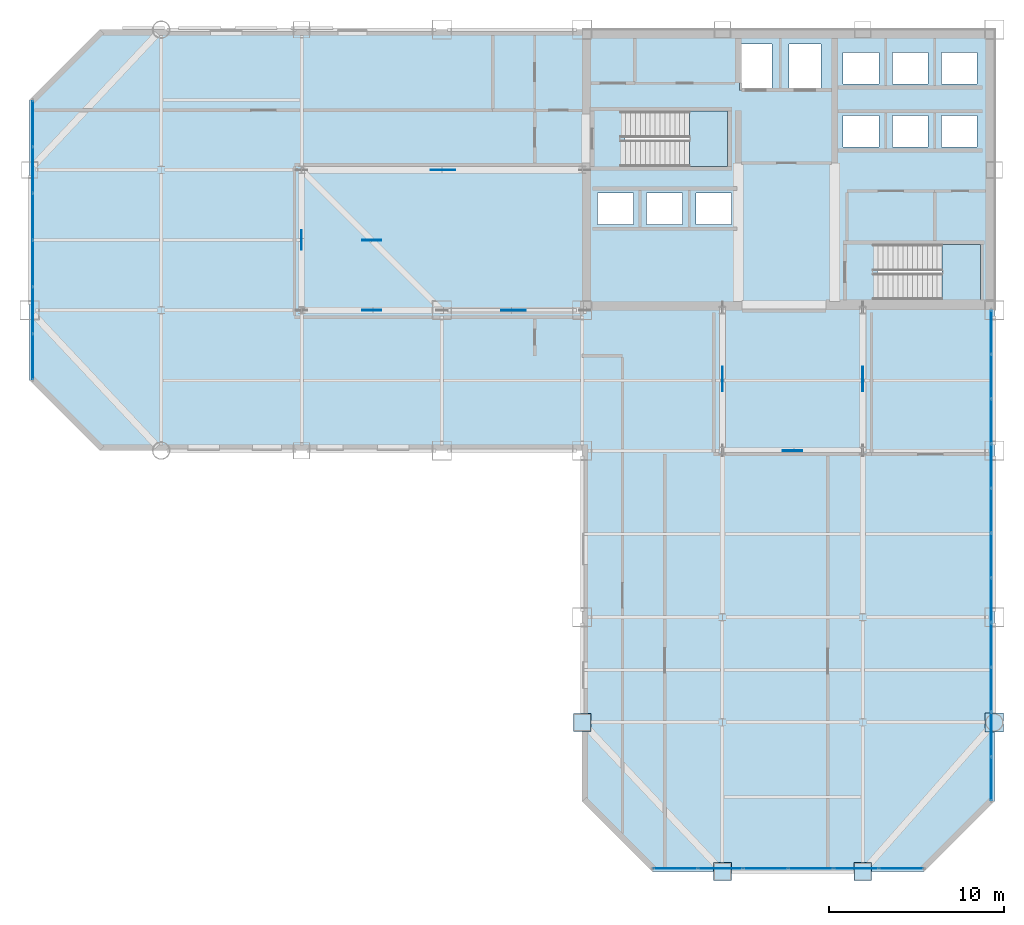
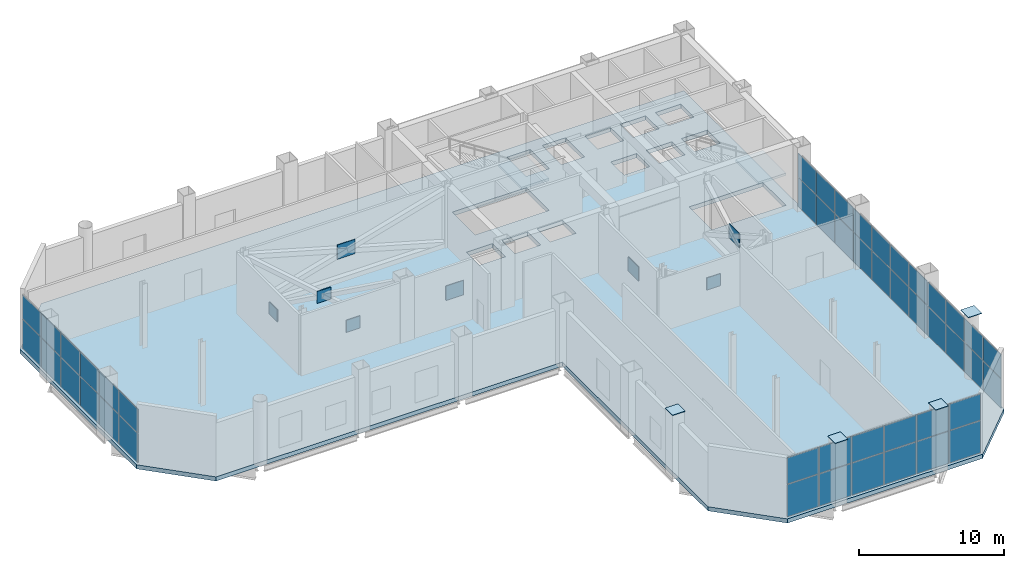
# One storey, part 19 of 24: 58 plates, 3 slabs, 5 elements without a shape of their own.
"""IFC4 building model written with IfcOpenShell, lengths in metres."""

from ifc_helpers import new_model, si_unit, direction, frame, origin, origin_2d, place, context, subcontext, project, spatial, polyline, rectangle, outline, extrude, material, layer, layer_set, type_object, element, aggregate, save


model = new_model("IFC4")

# Units and contexts
model_context = context("Model", 3, precision=1e-05, world=origin(), true_north=direction((0.0, 1.0)))
body_context = subcontext(model_context, "Body", "Model", "MODEL_VIEW")
ifc_project = project(units=[si_unit("LENGTHUNIT", "METRE"), si_unit("AREAUNIT", "SQUARE_METRE"), si_unit("VOLUMEUNIT", "CUBIC_METRE"), si_unit("PLANEANGLEUNIT", "RADIAN"), si_unit("MASSUNIT", "GRAM", prefix="KILO")], contexts=[model_context])

# Site, building, storey
site_placement = place(None, origin())
site = spatial("IfcSite", under=ifc_project, at=site_placement, CompositionType="ELEMENT")
building_placement = place(site_placement, origin())
building = spatial("IfcBuilding", under=site, at=building_placement, Name="Qianrong Seaharbour Tower", CompositionType="ELEMENT")
storey_placement = place(building_placement, frame((0.0, 0.0, 195.0)))
storey = spatial("IfcBuildingStorey", under=building, at=storey_placement, Name="L47", CompositionType="ELEMENT", Elevation=195.0)

# Curtain wall, plates
ifc_material_1 = material(Name="Anodised aluminium 6063-T6 and laminated low-e glass", Category="aluminium")
ifc_layer_1 = layer(ifc_material_1, 0.18505859375)
ifc_layer_set_1 = layer_set([ifc_layer_1], Name="Anodised aluminium 6063-T6 and laminated low-e glass")
curtain_wall_type = type_object("IfcCurtainWallType", Name="CW-SYS-4", PredefinedType="NOTDEFINED", material=ifc_layer_set_1)
curtain_wall_1_placement = place(storey_placement, origin())
curtain_wall_1 = element("IfcCurtainWall", 1, at=curtain_wall_1_placement, inside=storey, type_object=curtain_wall_type, Name="L47 Refuge Acoustic Louvre Curtain Wall WEST_TIP", PredefinedType="NOTDEFINED")
ifc_material_2 = material(Name="Anodised aluminium acoustic louvre cassette", Category="aluminium")
ifc_layer_2 = layer(ifc_material_2, 0.044921875)
ifc_layer_set_2 = layer_set([ifc_layer_2], Name="Anodised aluminium acoustic louvre cassette")
plate_type_1 = type_object("IfcPlateType", Name="CW-PAN-LOUVRE-45", PredefinedType="CURTAIN_PANEL", material=ifc_layer_set_2)
plate_1_placement = place(storey_placement, frame((9.169921875, 33.350830078125, 0.06494140625), z_axis=(0.0, 0.0, 1.0), x_axis=(0.0, 1.0, 0.0)))
plate_1 = element("IfcPlate", 2, at=plate_1_placement, type_object=plate_type_1, Name="CW-4 panel 1.1", PredefinedType="CURTAIN_PANEL", context=body_context, shape_type="SweptSolid", body=[
    extrude(rectangle(XDim=2.561767578125, YDim=0.044921875, at=origin_2d()), origin(), (0.0, 0.0, 1.0), 2.43798828125),
])
plate_2_placement = place(storey_placement, frame((9.169921875, 33.350830078125, 2.56787109375), z_axis=(0.0, 0.0, 1.0), x_axis=(0.0, 1.0, 0.0)))
plate_2 = element("IfcPlate", 3, at=plate_2_placement, type_object=plate_type_1, Name="CW-4 panel 1.2", PredefinedType="CURTAIN_PANEL", context=body_context, shape_type="SweptSolid", body=[
    extrude(rectangle(XDim=2.561767578125, YDim=0.044921875, at=origin_2d()), origin(), (0.0, 0.0, 1.0), 1.97705078125),
])
plate_3_placement = place(storey_placement, frame((9.169921875, 36.0, 0.06494140625), z_axis=(0.0, 0.0, 1.0), x_axis=(0.0, 1.0, 0.0)))
plate_3 = element("IfcPlate", 4, at=plate_3_placement, type_object=plate_type_1, Name="CW-4 panel 2.1", PredefinedType="CURTAIN_PANEL", context=body_context, shape_type="SweptSolid", body=[
    extrude(rectangle(XDim=2.5966796875, YDim=0.044921875, at=origin_2d()), origin(), (0.0, 0.0, 1.0), 2.43798828125),
])
plate_4_placement = place(storey_placement, frame((9.169921875, 36.0, 2.56787109375), z_axis=(0.0, 0.0, 1.0), x_axis=(0.0, 1.0, 0.0)))
plate_4 = element("IfcPlate", 5, at=plate_4_placement, type_object=plate_type_1, Name="CW-4 panel 2.2", PredefinedType="CURTAIN_PANEL", context=body_context, shape_type="SweptSolid", body=[
    extrude(rectangle(XDim=2.5966796875, YDim=0.044921875, at=origin_2d()), origin(), (0.0, 0.0, 1.0), 1.97705078125),
])
plate_5_placement = place(storey_placement, frame((9.169921875, 38.666748046875, 0.06494140625), z_axis=(0.0, 0.0, 1.0), x_axis=(0.0, 1.0, 0.0)))
plate_5 = element("IfcPlate", 6, at=plate_5_placement, type_object=plate_type_1, Name="CW-4 panel 3.1", PredefinedType="CURTAIN_PANEL", context=body_context, shape_type="SweptSolid", body=[
    extrude(rectangle(XDim=2.5966796875, YDim=0.044921875, at=origin_2d()), origin(), (0.0, 0.0, 1.0), 2.43798828125),
])
plate_6_placement = place(storey_placement, frame((9.169921875, 38.666748046875, 2.56787109375), z_axis=(0.0, 0.0, 1.0), x_axis=(0.0, 1.0, 0.0)))
plate_6 = element("IfcPlate", 7, at=plate_6_placement, type_object=plate_type_1, Name="CW-4 panel 3.2", PredefinedType="CURTAIN_PANEL", context=body_context, shape_type="SweptSolid", body=[
    extrude(rectangle(XDim=2.5966796875, YDim=0.044921875, at=origin_2d()), origin(), (0.0, 0.0, 1.0), 1.97705078125),
])
plate_7_placement = place(storey_placement, frame((9.169921875, 41.333251953125, 0.06494140625), z_axis=(0.0, 0.0, 1.0), x_axis=(0.0, 1.0, 0.0)))
plate_7 = element("IfcPlate", 8, at=plate_7_placement, type_object=plate_type_1, Name="CW-4 panel 4.1", PredefinedType="CURTAIN_PANEL", context=body_context, shape_type="SweptSolid", body=[
    extrude(rectangle(XDim=2.5966796875, YDim=0.044921875, at=origin_2d()), origin(), (0.0, 0.0, 1.0), 2.43798828125),
])
plate_8_placement = place(storey_placement, frame((9.169921875, 41.333251953125, 2.56787109375), z_axis=(0.0, 0.0, 1.0), x_axis=(0.0, 1.0, 0.0)))
plate_8 = element("IfcPlate", 9, at=plate_8_placement, type_object=plate_type_1, Name="CW-4 panel 4.2", PredefinedType="CURTAIN_PANEL", context=body_context, shape_type="SweptSolid", body=[
    extrude(rectangle(XDim=2.5966796875, YDim=0.044921875, at=origin_2d()), origin(), (0.0, 0.0, 1.0), 1.97705078125),
])
plate_9_placement = place(storey_placement, frame((9.169921875, 44.0, 0.06494140625), z_axis=(0.0, 0.0, 1.0), x_axis=(0.0, 1.0, 0.0)))
plate_9 = element("IfcPlate", 10, at=plate_9_placement, type_object=plate_type_1, Name="CW-4 panel 5.1", PredefinedType="CURTAIN_PANEL", context=body_context, shape_type="SweptSolid", body=[
    extrude(rectangle(XDim=2.5966796875, YDim=0.044921875, at=origin_2d()), origin(), (0.0, 0.0, 1.0), 2.43798828125),
])
plate_10_placement = place(storey_placement, frame((9.169921875, 44.0, 2.56787109375), z_axis=(0.0, 0.0, 1.0), x_axis=(0.0, 1.0, 0.0)))
plate_10 = element("IfcPlate", 11, at=plate_10_placement, type_object=plate_type_1, Name="CW-4 panel 5.2", PredefinedType="CURTAIN_PANEL", context=body_context, shape_type="SweptSolid", body=[
    extrude(rectangle(XDim=2.5966796875, YDim=0.044921875, at=origin_2d()), origin(), (0.0, 0.0, 1.0), 1.97705078125),
])
plate_11_placement = place(storey_placement, frame((9.169921875, 46.649169921875, 0.06494140625), z_axis=(0.0, 0.0, 1.0), x_axis=(0.0, 1.0, 0.0)))
plate_11 = element("IfcPlate", 12, at=plate_11_placement, type_object=plate_type_1, Name="CW-4 panel 6.1", PredefinedType="CURTAIN_PANEL", context=body_context, shape_type="SweptSolid", body=[
    extrude(rectangle(XDim=2.561767578125, YDim=0.044921875, at=origin_2d()), origin(), (0.0, 0.0, 1.0), 2.43798828125),
])
plate_12_placement = place(storey_placement, frame((9.169921875, 46.649169921875, 2.56787109375), z_axis=(0.0, 0.0, 1.0), x_axis=(0.0, 1.0, 0.0)))
plate_12 = element("IfcPlate", 13, at=plate_12_placement, type_object=plate_type_1, Name="CW-4 panel 6.2", PredefinedType="CURTAIN_PANEL", context=body_context, shape_type="SweptSolid", body=[
    extrude(rectangle(XDim=2.561767578125, YDim=0.044921875, at=origin_2d()), origin(), (0.0, 0.0, 1.0), 1.97705078125),
])
aggregate(curtain_wall_1, [plate_1, plate_2, plate_3, plate_4, plate_5, plate_6, plate_7, plate_8, plate_9, plate_10, plate_11, plate_12])

curtain_wall_2_placement = place(storey_placement, origin())
curtain_wall_2 = element("IfcCurtainWall", 14, at=curtain_wall_2_placement, inside=storey, type_object=curtain_wall_type, Name="L47 Refuge Acoustic Louvre Curtain Wall EAST_WING", PredefinedType="NOTDEFINED")
plate_13_placement = place(storey_placement, frame((63.830078125, 34.757568359375, 0.06494140625), z_axis=(0.0, 0.0, 1.0), x_axis=(0.0, -1.0, 0.0)))
plate_13 = element("IfcPlate", 15, at=plate_13_placement, type_object=plate_type_1, Name="CW-4 panel 1.1", PredefinedType="CURTAIN_PANEL", context=body_context, shape_type="SweptSolid", body=[
    extrude(rectangle(XDim=2.445068359375, YDim=0.044921875, at=origin_2d()), origin(), (0.0, 0.0, 1.0), 2.43798828125),
])
plate_14_placement = place(storey_placement, frame((63.830078125, 34.757568359375, 2.56787109375), z_axis=(0.0, 0.0, 1.0), x_axis=(0.0, -1.0, 0.0)))
plate_14 = element("IfcPlate", 16, at=plate_14_placement, type_object=plate_type_1, Name="CW-4 panel 1.2", PredefinedType="CURTAIN_PANEL", context=body_context, shape_type="SweptSolid", body=[
    extrude(rectangle(XDim=2.445068359375, YDim=0.044921875, at=origin_2d()), origin(), (0.0, 0.0, 1.0), 1.97705078125),
])
plate_15_placement = place(storey_placement, frame((63.830078125, 32.22509765625, 0.06494140625), z_axis=(0.0, 0.0, 1.0), x_axis=(0.0, -1.0, 0.0)))
plate_15 = element("IfcPlate", 17, at=plate_15_placement, type_object=plate_type_1, Name="CW-4 panel 2.1", PredefinedType="CURTAIN_PANEL", context=body_context, shape_type="SweptSolid", body=[
    extrude(rectangle(XDim=2.47998046875, YDim=0.044921875, at=origin_2d()), origin(), (0.0, 0.0, 1.0), 2.43798828125),
])
plate_16_placement = place(storey_placement, frame((63.830078125, 32.22509765625, 2.56787109375), z_axis=(0.0, 0.0, 1.0), x_axis=(0.0, -1.0, 0.0)))
plate_16 = element("IfcPlate", 18, at=plate_16_placement, type_object=plate_type_1, Name="CW-4 panel 2.2", PredefinedType="CURTAIN_PANEL", context=body_context, shape_type="SweptSolid", body=[
    extrude(rectangle(XDim=2.47998046875, YDim=0.044921875, at=origin_2d()), origin(), (0.0, 0.0, 1.0), 1.97705078125),
])
plate_17_placement = place(storey_placement, frame((63.830078125, 29.675048828125, 0.06494140625), z_axis=(0.0, 0.0, 1.0), x_axis=(0.0, -1.0, 0.0)))
plate_17 = element("IfcPlate", 19, at=plate_17_placement, type_object=plate_type_1, Name="CW-4 panel 3.1", PredefinedType="CURTAIN_PANEL", context=body_context, shape_type="SweptSolid", body=[
    extrude(rectangle(XDim=2.47998046875, YDim=0.044921875, at=origin_2d()), origin(), (0.0, 0.0, 1.0), 2.43798828125),
])
plate_18_placement = place(storey_placement, frame((63.830078125, 29.675048828125, 2.56787109375), z_axis=(0.0, 0.0, 1.0), x_axis=(0.0, -1.0, 0.0)))
plate_18 = element("IfcPlate", 20, at=plate_18_placement, type_object=plate_type_1, Name="CW-4 panel 3.2", PredefinedType="CURTAIN_PANEL", context=body_context, shape_type="SweptSolid", body=[
    extrude(rectangle(XDim=2.47998046875, YDim=0.044921875, at=origin_2d()), origin(), (0.0, 0.0, 1.0), 1.97705078125),
])
plate_19_placement = place(storey_placement, frame((63.830078125, 27.125, 0.06494140625), z_axis=(0.0, 0.0, 1.0), x_axis=(0.0, -1.0, 0.0)))
plate_19 = element("IfcPlate", 21, at=plate_19_placement, type_object=plate_type_1, Name="CW-4 panel 4.1", PredefinedType="CURTAIN_PANEL", context=body_context, shape_type="SweptSolid", body=[
    extrude(rectangle(XDim=2.47998046875, YDim=0.044921875, at=origin_2d()), origin(), (0.0, 0.0, 1.0), 2.43798828125),
])
plate_20_placement = place(storey_placement, frame((63.830078125, 27.125, 2.56787109375), z_axis=(0.0, 0.0, 1.0), x_axis=(0.0, -1.0, 0.0)))
plate_20 = element("IfcPlate", 22, at=plate_20_placement, type_object=plate_type_1, Name="CW-4 panel 4.2", PredefinedType="CURTAIN_PANEL", context=body_context, shape_type="SweptSolid", body=[
    extrude(rectangle(XDim=2.47998046875, YDim=0.044921875, at=origin_2d()), origin(), (0.0, 0.0, 1.0), 1.97705078125),
])
plate_21_placement = place(storey_placement, frame((63.830078125, 24.574951171875, 0.06494140625), z_axis=(0.0, 0.0, 1.0), x_axis=(0.0, -1.0, 0.0)))
plate_21 = element("IfcPlate", 23, at=plate_21_placement, type_object=plate_type_1, Name="CW-4 panel 5.1", PredefinedType="CURTAIN_PANEL", context=body_context, shape_type="SweptSolid", body=[
    extrude(rectangle(XDim=2.47998046875, YDim=0.044921875, at=origin_2d()), origin(), (0.0, 0.0, 1.0), 2.43798828125),
])
plate_22_placement = place(storey_placement, frame((63.830078125, 24.574951171875, 2.56787109375), z_axis=(0.0, 0.0, 1.0), x_axis=(0.0, -1.0, 0.0)))
plate_22 = element("IfcPlate", 24, at=plate_22_placement, type_object=plate_type_1, Name="CW-4 panel 5.2", PredefinedType="CURTAIN_PANEL", context=body_context, shape_type="SweptSolid", body=[
    extrude(rectangle(XDim=2.47998046875, YDim=0.044921875, at=origin_2d()), origin(), (0.0, 0.0, 1.0), 1.97705078125),
])
plate_23_placement = place(storey_placement, frame((63.830078125, 22.02490234375, 0.06494140625), z_axis=(0.0, 0.0, 1.0), x_axis=(0.0, -1.0, 0.0)))
plate_23 = element("IfcPlate", 25, at=plate_23_placement, type_object=plate_type_1, Name="CW-4 panel 6.1", PredefinedType="CURTAIN_PANEL", context=body_context, shape_type="SweptSolid", body=[
    extrude(rectangle(XDim=2.47998046875, YDim=0.044921875, at=origin_2d()), origin(), (0.0, 0.0, 1.0), 2.43798828125),
])
plate_24_placement = place(storey_placement, frame((63.830078125, 22.02490234375, 2.56787109375), z_axis=(0.0, 0.0, 1.0), x_axis=(0.0, -1.0, 0.0)))
plate_24 = element("IfcPlate", 26, at=plate_24_placement, type_object=plate_type_1, Name="CW-4 panel 6.2", PredefinedType="CURTAIN_PANEL", context=body_context, shape_type="SweptSolid", body=[
    extrude(rectangle(XDim=2.47998046875, YDim=0.044921875, at=origin_2d()), origin(), (0.0, 0.0, 1.0), 1.97705078125),
])
plate_25_placement = place(storey_placement, frame((63.830078125, 19.47509765625, 0.06494140625), z_axis=(0.0, 0.0, 1.0), x_axis=(0.0, -1.0, 0.0)))
plate_25 = element("IfcPlate", 27, at=plate_25_placement, type_object=plate_type_1, Name="CW-4 panel 7.1", PredefinedType="CURTAIN_PANEL", context=body_context, shape_type="SweptSolid", body=[
    extrude(rectangle(XDim=2.47998046875, YDim=0.044921875, at=origin_2d()), origin(), (0.0, 0.0, 1.0), 2.43798828125),
])
plate_26_placement = place(storey_placement, frame((63.830078125, 19.47509765625, 2.56787109375), z_axis=(0.0, 0.0, 1.0), x_axis=(0.0, -1.0, 0.0)))
plate_26 = element("IfcPlate", 28, at=plate_26_placement, type_object=plate_type_1, Name="CW-4 panel 7.2", PredefinedType="CURTAIN_PANEL", context=body_context, shape_type="SweptSolid", body=[
    extrude(rectangle(XDim=2.47998046875, YDim=0.044921875, at=origin_2d()), origin(), (0.0, 0.0, 1.0), 1.97705078125),
])
plate_27_placement = place(storey_placement, frame((63.830078125, 16.925048828125, 0.06494140625), z_axis=(0.0, 0.0, 1.0), x_axis=(0.0, -1.0, 0.0)))
plate_27 = element("IfcPlate", 29, at=plate_27_placement, type_object=plate_type_1, Name="CW-4 panel 8.1", PredefinedType="CURTAIN_PANEL", context=body_context, shape_type="SweptSolid", body=[
    extrude(rectangle(XDim=2.47998046875, YDim=0.044921875, at=origin_2d()), origin(), (0.0, 0.0, 1.0), 2.43798828125),
])
plate_28_placement = place(storey_placement, frame((63.830078125, 16.925048828125, 2.56787109375), z_axis=(0.0, 0.0, 1.0), x_axis=(0.0, -1.0, 0.0)))
plate_28 = element("IfcPlate", 30, at=plate_28_placement, type_object=plate_type_1, Name="CW-4 panel 8.2", PredefinedType="CURTAIN_PANEL", context=body_context, shape_type="SweptSolid", body=[
    extrude(rectangle(XDim=2.47998046875, YDim=0.044921875, at=origin_2d()), origin(), (0.0, 0.0, 1.0), 1.97705078125),
])
plate_29_placement = place(storey_placement, frame((63.830078125, 14.375, 0.06494140625), z_axis=(0.0, 0.0, 1.0), x_axis=(0.0, -1.0, 0.0)))
plate_29 = element("IfcPlate", 31, at=plate_29_placement, type_object=plate_type_1, Name="CW-4 panel 9.1", PredefinedType="CURTAIN_PANEL", context=body_context, shape_type="SweptSolid", body=[
    extrude(rectangle(XDim=2.47998046875, YDim=0.044921875, at=origin_2d()), origin(), (0.0, 0.0, 1.0), 2.43798828125),
])
plate_30_placement = place(storey_placement, frame((63.830078125, 14.375, 2.56787109375), z_axis=(0.0, 0.0, 1.0), x_axis=(0.0, -1.0, 0.0)))
plate_30 = element("IfcPlate", 32, at=plate_30_placement, type_object=plate_type_1, Name="CW-4 panel 9.2", PredefinedType="CURTAIN_PANEL", context=body_context, shape_type="SweptSolid", body=[
    extrude(rectangle(XDim=2.47998046875, YDim=0.044921875, at=origin_2d()), origin(), (0.0, 0.0, 1.0), 1.97705078125),
])
plate_31_placement = place(storey_placement, frame((63.830078125, 11.824951171875, 0.06494140625), z_axis=(0.0, 0.0, 1.0), x_axis=(0.0, -1.0, 0.0)))
plate_31 = element("IfcPlate", 33, at=plate_31_placement, type_object=plate_type_1, Name="CW-4 panel 10.1", PredefinedType="CURTAIN_PANEL", context=body_context, shape_type="SweptSolid", body=[
    extrude(rectangle(XDim=2.47998046875, YDim=0.044921875, at=origin_2d()), origin(), (0.0, 0.0, 1.0), 2.43798828125),
])
plate_32_placement = place(storey_placement, frame((63.830078125, 11.824951171875, 2.56787109375), z_axis=(0.0, 0.0, 1.0), x_axis=(0.0, -1.0, 0.0)))
plate_32 = element("IfcPlate", 34, at=plate_32_placement, type_object=plate_type_1, Name="CW-4 panel 10.2", PredefinedType="CURTAIN_PANEL", context=body_context, shape_type="SweptSolid", body=[
    extrude(rectangle(XDim=2.47998046875, YDim=0.044921875, at=origin_2d()), origin(), (0.0, 0.0, 1.0), 1.97705078125),
])
plate_33_placement = place(storey_placement, frame((63.830078125, 9.29248046875, 0.06494140625), z_axis=(0.0, 0.0, 1.0), x_axis=(0.0, -1.0, 0.0)))
plate_33 = element("IfcPlate", 35, at=plate_33_placement, type_object=plate_type_1, Name="CW-4 panel 11.1", PredefinedType="CURTAIN_PANEL", context=body_context, shape_type="SweptSolid", body=[
    extrude(rectangle(XDim=2.445068359375, YDim=0.044921875, at=origin_2d()), origin(), (0.0, 0.0, 1.0), 2.43798828125),
])
plate_34_placement = place(storey_placement, frame((63.830078125, 9.29248046875, 2.56787109375), z_axis=(0.0, 0.0, 1.0), x_axis=(0.0, -1.0, 0.0)))
plate_34 = element("IfcPlate", 36, at=plate_34_placement, type_object=plate_type_1, Name="CW-4 panel 11.2", PredefinedType="CURTAIN_PANEL", context=body_context, shape_type="SweptSolid", body=[
    extrude(rectangle(XDim=2.445068359375, YDim=0.044921875, at=origin_2d()), origin(), (0.0, 0.0, 1.0), 1.97705078125),
])
aggregate(curtain_wall_2, [plate_13, plate_14, plate_15, plate_16, plate_17, plate_18, plate_19, plate_20, plate_21, plate_22, plate_23, plate_24, plate_25, plate_26, plate_27, plate_28, plate_29, plate_30, plate_31, plate_32, plate_33, plate_34])

curtain_wall_3_placement = place(storey_placement, origin())
curtain_wall_3 = element("IfcCurtainWall", 37, at=curtain_wall_3_placement, inside=storey, type_object=curtain_wall_type, Name="L47 Refuge Acoustic Louvre Curtain Wall SOUTH_TIP", PredefinedType="NOTDEFINED")
plate_35_placement = place(storey_placement, frame((58.69091796875, 4.169921875, 0.06494140625), z_axis=(0.0, 0.0, 1.0), x_axis=(-1.0, 0.0, 0.0)))
plate_35 = element("IfcPlate", 38, at=plate_35_placement, type_object=plate_type_1, Name="CW-4 panel 1.1", PredefinedType="CURTAIN_PANEL", context=body_context, shape_type="SweptSolid", body=[
    extrude(rectangle(XDim=2.478271484375, YDim=0.044921875, at=origin_2d()), origin(), (0.0, 0.0, 1.0), 2.685546875),
])
plate_36_placement = place(storey_placement, frame((58.69091796875, 4.169921875, 2.8154296875), z_axis=(0.0, 0.0, 1.0), x_axis=(-1.0, 0.0, 0.0)))
plate_36 = element("IfcPlate", 39, at=plate_36_placement, type_object=plate_type_1, Name="CW-4 panel 1.2", PredefinedType="CURTAIN_PANEL", context=body_context, shape_type="SweptSolid", body=[
    extrude(rectangle(XDim=2.478271484375, YDim=0.044921875, at=origin_2d()), origin(), (0.0, 0.0, 1.0), 2.179443359375),
])
plate_37_placement = place(storey_placement, frame((56.125, 4.169921875, 0.06494140625), z_axis=(0.0, 0.0, 1.0), x_axis=(-1.0, 0.0, 0.0)))
plate_37 = element("IfcPlate", 40, at=plate_37_placement, type_object=plate_type_1, Name="CW-4 panel 2.1", PredefinedType="CURTAIN_PANEL", context=body_context, shape_type="SweptSolid", body=[
    extrude(rectangle(XDim=2.513427734375, YDim=0.044921875, at=origin_2d()), origin(), (0.0, 0.0, 1.0), 2.685546875),
])
plate_38_placement = place(storey_placement, frame((56.125, 4.169921875, 2.8154296875), z_axis=(0.0, 0.0, 1.0), x_axis=(-1.0, 0.0, 0.0)))
plate_38 = element("IfcPlate", 41, at=plate_38_placement, type_object=plate_type_1, Name="CW-4 panel 2.2", PredefinedType="CURTAIN_PANEL", context=body_context, shape_type="SweptSolid", body=[
    extrude(rectangle(XDim=2.513427734375, YDim=0.044921875, at=origin_2d()), origin(), (0.0, 0.0, 1.0), 2.179443359375),
])
plate_39_placement = place(storey_placement, frame((53.541748046875, 4.169921875, 0.06494140625), z_axis=(0.0, 0.0, 1.0), x_axis=(-1.0, 0.0, 0.0)))
plate_39 = element("IfcPlate", 42, at=plate_39_placement, type_object=plate_type_1, Name="CW-4 panel 3.1", PredefinedType="CURTAIN_PANEL", context=body_context, shape_type="SweptSolid", body=[
    extrude(rectangle(XDim=2.513427734375, YDim=0.044921875, at=origin_2d()), origin(), (0.0, 0.0, 1.0), 2.685546875),
])
plate_40_placement = place(storey_placement, frame((53.541748046875, 4.169921875, 2.8154296875), z_axis=(0.0, 0.0, 1.0), x_axis=(-1.0, 0.0, 0.0)))
plate_40 = element("IfcPlate", 43, at=plate_40_placement, type_object=plate_type_1, Name="CW-4 panel 3.2", PredefinedType="CURTAIN_PANEL", context=body_context, shape_type="SweptSolid", body=[
    extrude(rectangle(XDim=2.513427734375, YDim=0.044921875, at=origin_2d()), origin(), (0.0, 0.0, 1.0), 2.179443359375),
])
plate_41_placement = place(storey_placement, frame((50.958251953125, 4.169921875, 0.06494140625), z_axis=(0.0, 0.0, 1.0), x_axis=(-1.0, 0.0, 0.0)))
plate_41 = element("IfcPlate", 44, at=plate_41_placement, type_object=plate_type_1, Name="CW-4 panel 4.1", PredefinedType="CURTAIN_PANEL", context=body_context, shape_type="SweptSolid", body=[
    extrude(rectangle(XDim=2.513427734375, YDim=0.044921875, at=origin_2d()), origin(), (0.0, 0.0, 1.0), 2.685546875),
])
plate_42_placement = place(storey_placement, frame((50.958251953125, 4.169921875, 2.8154296875), z_axis=(0.0, 0.0, 1.0), x_axis=(-1.0, 0.0, 0.0)))
plate_42 = element("IfcPlate", 45, at=plate_42_placement, type_object=plate_type_1, Name="CW-4 panel 4.2", PredefinedType="CURTAIN_PANEL", context=body_context, shape_type="SweptSolid", body=[
    extrude(rectangle(XDim=2.513427734375, YDim=0.044921875, at=origin_2d()), origin(), (0.0, 0.0, 1.0), 2.179443359375),
])
plate_43_placement = place(storey_placement, frame((48.375, 4.169921875, 0.06494140625), z_axis=(0.0, 0.0, 1.0), x_axis=(-1.0, 0.0, 0.0)))
plate_43 = element("IfcPlate", 46, at=plate_43_placement, type_object=plate_type_1, Name="CW-4 panel 5.1", PredefinedType="CURTAIN_PANEL", context=body_context, shape_type="SweptSolid", body=[
    extrude(rectangle(XDim=2.513427734375, YDim=0.044921875, at=origin_2d()), origin(), (0.0, 0.0, 1.0), 2.685546875),
])
plate_44_placement = place(storey_placement, frame((48.375, 4.169921875, 2.8154296875), z_axis=(0.0, 0.0, 1.0), x_axis=(-1.0, 0.0, 0.0)))
plate_44 = element("IfcPlate", 47, at=plate_44_placement, type_object=plate_type_1, Name="CW-4 panel 5.2", PredefinedType="CURTAIN_PANEL", context=body_context, shape_type="SweptSolid", body=[
    extrude(rectangle(XDim=2.513427734375, YDim=0.044921875, at=origin_2d()), origin(), (0.0, 0.0, 1.0), 2.179443359375),
])
plate_45_placement = place(storey_placement, frame((45.80908203125, 4.169921875, 0.06494140625), z_axis=(0.0, 0.0, 1.0), x_axis=(-1.0, 0.0, 0.0)))
plate_45 = element("IfcPlate", 48, at=plate_45_placement, type_object=plate_type_1, Name="CW-4 panel 6.1", PredefinedType="CURTAIN_PANEL", context=body_context, shape_type="SweptSolid", body=[
    extrude(rectangle(XDim=2.478271484375, YDim=0.044921875, at=origin_2d()), origin(), (0.0, 0.0, 1.0), 2.685546875),
])
plate_46_placement = place(storey_placement, frame((45.80908203125, 4.169921875, 2.8154296875), z_axis=(0.0, 0.0, 1.0), x_axis=(-1.0, 0.0, 0.0)))
plate_46 = element("IfcPlate", 49, at=plate_46_placement, type_object=plate_type_1, Name="CW-4 panel 6.2", PredefinedType="CURTAIN_PANEL", context=body_context, shape_type="SweptSolid", body=[
    extrude(rectangle(XDim=2.478271484375, YDim=0.044921875, at=origin_2d()), origin(), (0.0, 0.0, 1.0), 2.179443359375),
])
aggregate(curtain_wall_3, [plate_35, plate_36, plate_37, plate_38, plate_39, plate_40, plate_41, plate_42, plate_43, plate_44, plate_45, plate_46])

# Plates
ifc_material_3 = material(Name="Structural steel SN490B", Category="steel")
ifc_layer_3 = layer(ifc_material_3, 0.044921875)
ifc_layer_set_3 = layer_set([ifc_layer_3], Name="Structural steel SN490B")
plate_type_2 = type_object("IfcPlateType", Name="PLT-COL-CAP-45", PredefinedType="SHEET", material=ifc_layer_set_3)
for number, where, z_axis, x_axis, name in (
    (50, (40.5, 12.5, 5.37744140625), (0.0, 0.0, 1.0), (1.0, 0.0, 0.0), "L47 Hollow Column Closure Cap Plate G6/GC"),
    (51, (48.5, 4.0, 5.37744140625), (0.0, 0.0, 1.0), (1.0, 0.0, 0.0), "L47 Hollow Column Closure Cap Plate G7/GB"),
    (52, (56.5, 4.0, 5.37744140625), (0.0, 0.0, 1.0), (1.0, 0.0, 0.0), "L47 Hollow Column Closure Cap Plate G8/GB"),
):
    element("IfcPlate", number, at=place(storey_placement, frame(where, z_axis=z_axis, x_axis=x_axis)), inside=storey, type_object=plate_type_2, Name=name, PredefinedType="SHEET", context=body_context, shape_type="SweptSolid", body=[
        extrude(rectangle(XDim=1.010009765625, YDim=1.010009765625, at=origin_2d()), origin(), (0.0, 0.0, 1.0), 0.044921875),
    ])
plate_47_placement = place(storey_placement, frame((64.0, 12.5, 5.37744140625), z_axis=(0.0, 0.0, 1.0), x_axis=(1.0, 0.0, 0.0)))
element("IfcPlate", 53, at=plate_47_placement, inside=storey, type_object=plate_type_2, Name="L47 Hollow Column Closure Cap Plate G9/GC", PredefinedType="SHEET", context=body_context, shape_type="SweptSolid", body=[
    extrude(rectangle(XDim=1.06005859375, YDim=1.06005859375, at=origin_2d()), origin(), (0.0, 0.0, 1.0), 0.044921875),
])
ifc_layer_4 = layer(ifc_material_3, 0.050048828125)
ifc_layer_set_4 = layer_set([ifc_layer_4], Name="Structural steel SN490B")
plate_type_3 = type_object("IfcPlateType", Name="PLT-OUTRIGGER-GUSSET-50", PredefinedType="USERDEFINED", material=ifc_layer_set_4)
for number, where, z_axis, x_axis, name in (
    (54, (36.574951171875, 36.0, 1.9501953125), (0.0, 0.0, 1.0), (1.0, 0.0, 0.0), "L47 Outrigger X-Crossing Gusset Node Plate GF"),
    (55, (32.574951171875, 44.0, 1.9501953125), (0.0, 0.0, 1.0), (1.0, 0.0, 0.0), "L47 Outrigger X-Crossing Gusset Node Plate GG"),
):
    element("IfcPlate", number, at=place(storey_placement, frame(where, z_axis=z_axis, x_axis=x_axis)), inside=storey, type_object=plate_type_3, Name=name, ObjectType="GUSSET PLATE", PredefinedType="USERDEFINED", context=body_context, shape_type="SweptSolid", body=[
        extrude(rectangle(XDim=1.39990234375, YDim=0.050048828125, at=origin_2d()), origin(), (0.0, 0.0, 1.0), 1.199951171875),
    ])
for number, where, z_axis, x_axis, name in (
    (56, (48.5, 32.074951171875, 1.9501953125), (0.0, 0.0, 1.0), (1.0, 0.0, 0.0), "L47 Outrigger X-Crossing Gusset Node Plate G7"),
    (57, (56.5, 32.074951171875, 1.9501953125), (0.0, 0.0, 1.0), (1.0, 0.0, 0.0), "L47 Outrigger X-Crossing Gusset Node Plate G8"),
):
    element("IfcPlate", number, at=place(storey_placement, frame(where, z_axis=z_axis, x_axis=x_axis)), inside=storey, type_object=plate_type_3, Name=name, ObjectType="GUSSET PLATE", PredefinedType="USERDEFINED", context=body_context, shape_type="SweptSolid", body=[
        extrude(rectangle(XDim=0.050048828125, YDim=1.39990234375, at=origin_2d()), origin(), (0.0, 0.0, 1.0), 1.199951171875),
    ])
plate_48_placement = place(storey_placement, frame((28.5, 36.0, 2.050048828125), z_axis=(0.0, 0.0, 1.0), x_axis=(1.0, 0.0, 0.0)))
element("IfcPlate", 58, at=plate_48_placement, inside=storey, type_object=plate_type_3, Name="L47 Belt Truss X-Crossing Gusset Node Plate B1", ObjectType="GUSSET PLATE", PredefinedType="USERDEFINED", context=body_context, shape_type="SweptSolid", body=[
    extrude(rectangle(XDim=1.10009765625, YDim=0.050048828125, at=origin_2d()), origin(), (0.0, 0.0, 1.0), 1.0),
])
plate_49_placement = place(storey_placement, frame((24.5, 40.0, 2.050048828125), z_axis=(0.0, 0.0, 1.0), x_axis=(1.0, 0.0, 0.0)))
element("IfcPlate", 59, at=plate_49_placement, inside=storey, type_object=plate_type_3, Name="L47 Belt Truss X-Crossing Gusset Node Plate B2", ObjectType="GUSSET PLATE", PredefinedType="USERDEFINED", context=body_context, shape_type="SweptSolid", body=[
    extrude(rectangle(XDim=0.050048828125, YDim=1.10009765625, at=origin_2d()), origin(), (0.0, 0.0, 1.0), 1.0),
])
for number, where, z_axis, x_axis, name in (
    (60, (52.5, 28.0, 2.050048828125), (0.0, 0.0, 1.0), (1.0, 0.0, 0.0), "L47 Belt Truss X-Crossing Gusset Node Plate B3"),
    (61, (28.5, 40.0, 2.050048828125), (0.0, 0.0, 1.0), (1.0, 0.0, 0.0), "L47 Belt Truss X-Crossing Gusset Node Plate B4"),
):
    element("IfcPlate", number, at=place(storey_placement, frame(where, z_axis=z_axis, x_axis=x_axis)), inside=storey, type_object=plate_type_3, Name=name, ObjectType="GUSSET PLATE", PredefinedType="USERDEFINED", context=body_context, shape_type="SweptSolid", body=[
        extrude(rectangle(XDim=1.10009765625, YDim=0.050048828125, at=origin_2d()), origin(), (0.0, 0.0, 1.0), 1.0),
    ])

# Slab
ifc_material_4 = material(Name="Concrete C50/60", Category="concrete")
ifc_layer_5 = layer(ifc_material_4, 0.35009765625)
ifc_layer_set_5 = layer_set([ifc_layer_5], Name="Concrete C50/60")
slab_type_1 = type_object("IfcSlabType", Name="SLAB-REF-350", PredefinedType="FLOOR", material=ifc_layer_set_5)
slab_1_placement = place(storey_placement, frame((0.0, 0.0, -0.35009765625)))
element("IfcSlab", 62, at=slab_1_placement, inside=storey, type_object=slab_type_1, Name="L47 Structural Floor Slab", PredefinedType="FLOOR", context=body_context, shape_type="SweptSolid", body=[
    extrude(outline(polyline([(44.5, 4.0), (60.0, 4.0), (64.0, 8.0), (64.0, 52.0), (13.0, 52.0), (9.0, 48.0), (9.0, 32.0), (13.0, 28.0), (40.5, 28.0), (40.5, 8.0), (44.5, 4.0)]), holes=[polyline([(42.93994140625, 44.199951171875), (42.93994140625, 47.35009765625), (48.800048828125, 47.35009765625), (48.800048828125, 44.199951171875), (42.93994140625, 44.199951171875)]), polyline([(57.340087890625, 36.60009765625), (57.340087890625, 39.75), (63.199951171875, 39.75), (63.199951171875, 36.60009765625), (57.340087890625, 36.60009765625)]), polyline([(49.47998046875, 48.530029296875), (49.47998046875, 51.169921875), (51.320068359375, 51.169921875), (51.320068359375, 48.530029296875), (49.47998046875, 48.530029296875)]), polyline([(52.280029296875, 48.530029296875), (52.280029296875, 51.169921875), (54.1201171875, 51.169921875), (54.1201171875, 48.530029296875), (52.280029296875, 48.530029296875)]), polyline([(41.3798828125, 40.89990234375), (41.3798828125, 42.699951171875), (43.419921875, 42.699951171875), (43.419921875, 40.89990234375), (41.3798828125, 40.89990234375)]), polyline([(44.179931640625, 40.89990234375), (44.179931640625, 42.699951171875), (46.219970703125, 42.699951171875), (46.219970703125, 40.89990234375), (44.179931640625, 40.89990234375)]), polyline([(46.97998046875, 40.89990234375), (46.97998046875, 42.699951171875), (49.02001953125, 42.699951171875), (49.02001953125, 40.89990234375), (46.97998046875, 40.89990234375)]), polyline([(55.3798828125, 45.300048828125), (55.3798828125, 47.10009765625), (57.419921875, 47.10009765625), (57.419921875, 45.300048828125), (55.3798828125, 45.300048828125)]), polyline([(58.179931640625, 45.300048828125), (58.179931640625, 47.10009765625), (60.219970703125, 47.10009765625), (60.219970703125, 45.300048828125), (58.179931640625, 45.300048828125)]), polyline([(60.97998046875, 45.300048828125), (60.97998046875, 47.10009765625), (63.02001953125, 47.10009765625), (63.02001953125, 45.300048828125), (60.97998046875, 45.300048828125)]), polyline([(55.3798828125, 48.89990234375), (55.3798828125, 50.699951171875), (57.419921875, 50.699951171875), (57.419921875, 48.89990234375), (55.3798828125, 48.89990234375)]), polyline([(58.179931640625, 48.89990234375), (58.179931640625, 50.699951171875), (60.219970703125, 50.699951171875), (60.219970703125, 48.89990234375), (58.179931640625, 48.89990234375)]), polyline([(60.97998046875, 48.89990234375), (60.97998046875, 50.699951171875), (63.02001953125, 50.699951171875), (63.02001953125, 48.89990234375), (60.97998046875, 48.89990234375)])]), origin(), (0.0, 0.0, 1.0), 0.35009765625),
])

# Stair, slab
stair_type = type_object("IfcStairType", Name="STAIR-DOGLEG-1500-R30", PredefinedType="HALF_TURN_STAIR", material=ifc_material_4)
stair_1_placement = place(storey_placement, origin())
stair_1 = element("IfcStair", 63, at=stair_1_placement, inside=storey, type_object=stair_type, Name="L47 Protected Escape Stair ST-1", PredefinedType="HALF_TURN_STAIR")
ifc_layer_6 = layer(ifc_material_4, 0.199951171875)
ifc_layer_set_6 = layer_set([ifc_layer_6], Name="Concrete C50/60")
slab_type_2 = type_object("IfcSlabType", Name="SLAB-STAIR-LANDING-200", PredefinedType="LANDING", material=ifc_layer_set_6)
slab_2_placement = place(storey_placement, frame((0.0, 0.0, 2.5)))
slab_2 = element("IfcSlab", 64, at=slab_2_placement, type_object=slab_type_2, Name="ST-1 landing 1", PredefinedType="LANDING", context=body_context, shape_type="SweptSolid", body=[
    extrude(outline(polyline([(46.6201171875, 44.199951171875), (48.800048828125, 44.199951171875), (48.800048828125, 47.35009765625), (46.6201171875, 47.35009765625), (46.6201171875, 44.199951171875)])), origin(), (0.0, 0.0, 1.0), 0.199951171875),
])
aggregate(stair_1, [slab_2])

stair_2_placement = place(storey_placement, origin())
stair_2 = element("IfcStair", 65, at=stair_2_placement, inside=storey, type_object=stair_type, Name="L47 Protected Escape Stair ST-2", PredefinedType="HALF_TURN_STAIR")
slab_3_placement = place(storey_placement, frame((0.0, 0.0, 2.5)))
slab_3 = element("IfcSlab", 66, at=slab_3_placement, type_object=slab_type_2, Name="ST-2 landing 1", PredefinedType="LANDING", context=body_context, shape_type="SweptSolid", body=[
    extrude(outline(polyline([(61.02001953125, 36.60009765625), (63.199951171875, 36.60009765625), (63.199951171875, 39.75), (61.02001953125, 39.75), (61.02001953125, 36.60009765625)])), origin(), (0.0, 0.0, 1.0), 0.199951171875),
])
aggregate(stair_2, [slab_3])

save(model, "model.ifc")
